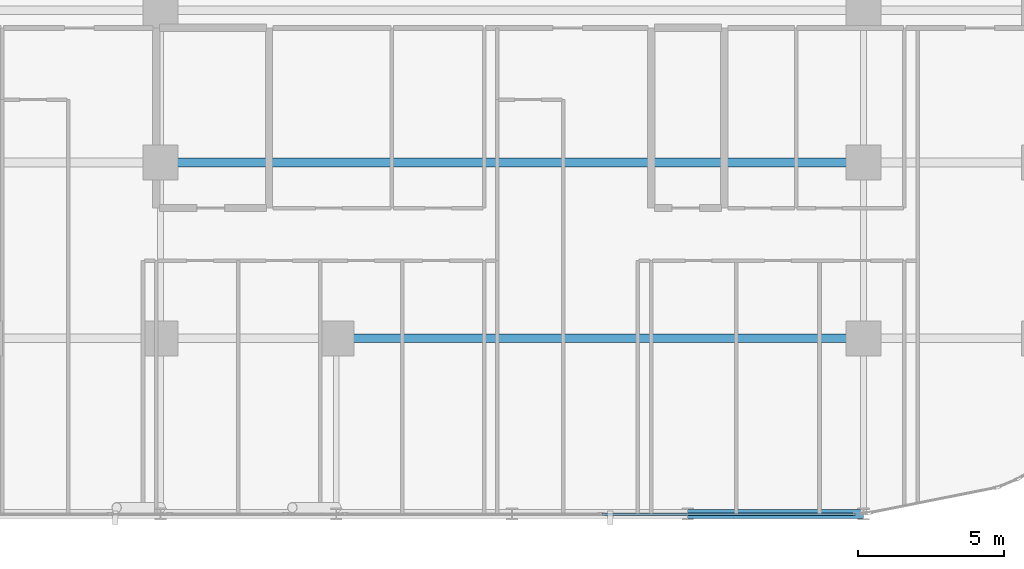
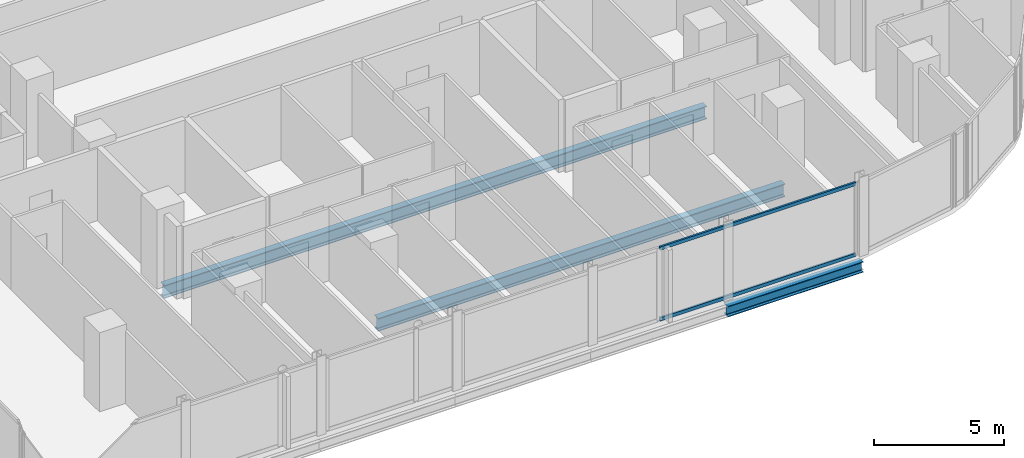
# One storey, part 9 of 34: 3 beams, 2 members, 1 element without a shape of its own.
"""IFC4 building model written with IfcOpenShell, lengths in metres."""

from ifc_helpers import new_model, si_unit, direction, frame, origin, origin_2d, place, context, subcontext, project, spatial, hollow_rectangle, i_section, extrude, material, layer, layer_set, material_profile, profile_set, type_object, element, aggregate, save


model = new_model("IFC4")

# Units and contexts
model_context = context("Model", 3, precision=1e-05, world=origin(), true_north=direction((0.0, 1.0)))
body_context = subcontext(model_context, "Body", "Model", "MODEL_VIEW")
ifc_project = project(units=[si_unit("LENGTHUNIT", "METRE"), si_unit("AREAUNIT", "SQUARE_METRE"), si_unit("VOLUMEUNIT", "CUBIC_METRE"), si_unit("PLANEANGLEUNIT", "RADIAN"), si_unit("MASSUNIT", "GRAM", prefix="KILO")], contexts=[model_context])

# Site, building, storey
site_placement = place(None, origin())
site = spatial("IfcSite", under=ifc_project, at=site_placement, CompositionType="ELEMENT")
building_placement = place(site_placement, origin())
building = spatial("IfcBuilding", under=site, at=building_placement, Name="Keshet Zoharim Tower", CompositionType="ELEMENT")
storey_placement = place(building_placement, frame((0.0, 0.0, 53.60009765625)))
storey = spatial("IfcBuildingStorey", under=building, at=storey_placement, Name="L12", CompositionType="ELEMENT", Elevation=53.60009765625)

# Beams
ifc_material_1 = material(Name="Steel S355", Category="steel")
ifc_material_profile_1 = material_profile(ifc_material_1, i_section(OverallWidth=0.300048828125, OverallDepth=0.60009765625, WebThickness=0.015380859375, FlangeThickness=0.030029296875, FilletRadius=0.027099609375, at=origin_2d()), Name="HEB600")
ifc_profile_set_1 = profile_set([ifc_material_profile_1], Name="Steel S355")
beam_type_1 = type_object("IfcBeamType", Name="BM-LNG-HB600", PredefinedType="BEAM", material=ifc_profile_set_1)
beam_1_placement = place(storey_placement, frame((39.0, 6.699951171875, -0.614990234375), z_axis=(1.0, 0.0, 0.0), x_axis=(0.0, 1.0, 0.0)))
element("IfcBeam", 1, at=beam_1_placement, inside=storey, type_object=beam_type_1, Name="L12 Primary Girder X-009", PredefinedType="BEAM", context=body_context, shape_type="SweptSolid", body=[
    extrude(i_section(OverallWidth=0.300048828125, OverallDepth=0.60009765625, WebThickness=0.015380859375, FlangeThickness=0.030029296875, FilletRadius=0.027099609375, at=origin_2d()), origin(), (0.0, 0.0, 1.0), 18.0),
])
beam_2_placement = place(storey_placement, frame((33.0, 12.699951171875, -0.614990234375), z_axis=(1.0, 0.0, 0.0), x_axis=(0.0, 1.0, 0.0)))
element("IfcBeam", 2, at=beam_2_placement, inside=storey, type_object=beam_type_1, Name="L12 Primary Girder X-012", PredefinedType="BEAM", context=body_context, shape_type="SweptSolid", body=[
    extrude(i_section(OverallWidth=0.300048828125, OverallDepth=0.60009765625, WebThickness=0.015380859375, FlangeThickness=0.030029296875, FilletRadius=0.027099609375, at=origin_2d()), origin(), (0.0, 0.0, 1.0), 24.0),
])
ifc_material_profile_2 = material_profile(ifc_material_1, i_section(OverallWidth=0.300048828125, OverallDepth=0.5, WebThickness=0.014404296875, FlangeThickness=0.028076171875, FilletRadius=0.027099609375, at=origin_2d()), Name="HEB500")
ifc_profile_set_2 = profile_set([ifc_material_profile_2], Name="Steel S355")
beam_type_2 = type_object("IfcBeamType", Name="BM-WEB-HB500", PredefinedType="BEAM", material=ifc_profile_set_2)
beam_3_placement = place(storey_placement, frame((51.0, 0.699951171875, -0.565185546875), z_axis=(1.0, 0.0, 0.0), x_axis=(0.0, 1.0, 0.0)))
element("IfcBeam", 3, at=beam_3_placement, inside=storey, type_object=beam_type_2, Name="L12 Primary Girder X-005", PredefinedType="BEAM", context=body_context, shape_type="SweptSolid", body=[
    extrude(i_section(OverallWidth=0.300048828125, OverallDepth=0.5, WebThickness=0.014404296875, FlangeThickness=0.028076171875, FilletRadius=0.027099609375, at=origin_2d()), origin(), (0.0, 0.0, 1.0), 6.0),
])

# Curtain wall, members
ifc_material_2 = material(Name="Aluminium 6063-T6", Category="aluminium")
ifc_layer = layer(ifc_material_2, 0.179931640625)
ifc_layer_set = layer_set([ifc_layer], Name="Aluminium 6063-T6")
curtain_wall_type = type_object("IfcCurtainWallType", Name="CW-SYS-01", PredefinedType="NOTDEFINED", material=ifc_layer_set)
curtain_wall_placement = place(storey_placement, origin())
curtain_wall = element("IfcCurtainWall", 4, at=curtain_wall_placement, inside=storey, type_object=curtain_wall_type, Name="L12 Unitised Curtain Wall 26", PredefinedType="NOTDEFINED")
ifc_material_profile_3 = material_profile(ifc_material_2, hollow_rectangle(XDim=0.0849609375, YDim=0.159912109375, WallThickness=0.00439453125, at=origin_2d()), Name="TRN-85x160")
ifc_profile_set_3 = profile_set([ifc_material_profile_3], Name="Aluminium 6063-T6")
member_type = type_object("IfcMemberType", Name="CWT-T16", PredefinedType="USERDEFINED", material=ifc_profile_set_3)
member_1_placement = place(storey_placement, frame((56.73291015625, 0.699951171875, 0.034912109375), z_axis=(-1.0, 0.0, 0.0), x_axis=(0.0, -1.0, 0.0)))
member_1 = element("IfcMember", 5, at=member_1_placement, type_object=member_type, Name="CW-01 transom 1.1", ObjectType="TRANSOM", PredefinedType="USERDEFINED", context=body_context, shape_type="SweptSolid", body=[
    extrude(hollow_rectangle(XDim=0.0849609375, YDim=0.159912109375, WallThickness=0.00439453125, at=origin_2d()), origin(), (0.0, 0.0, 1.0), 8.6650390625),
])
member_2_placement = place(storey_placement, frame((56.73291015625, 0.699951171875, 3.349853515625), z_axis=(-1.0, 0.0, 0.0), x_axis=(0.0, -1.0, 0.0)))
member_2 = element("IfcMember", 6, at=member_2_placement, type_object=member_type, Name="CW-01 transom 1.2", ObjectType="TRANSOM", PredefinedType="USERDEFINED", context=body_context, shape_type="SweptSolid", body=[
    extrude(hollow_rectangle(XDim=0.0849609375, YDim=0.159912109375, WallThickness=0.00439453125, at=origin_2d()), origin(), (0.0, 0.0, 1.0), 8.6650390625),
])
aggregate(curtain_wall, [member_1, member_2])

save(model, "model.ifc")
